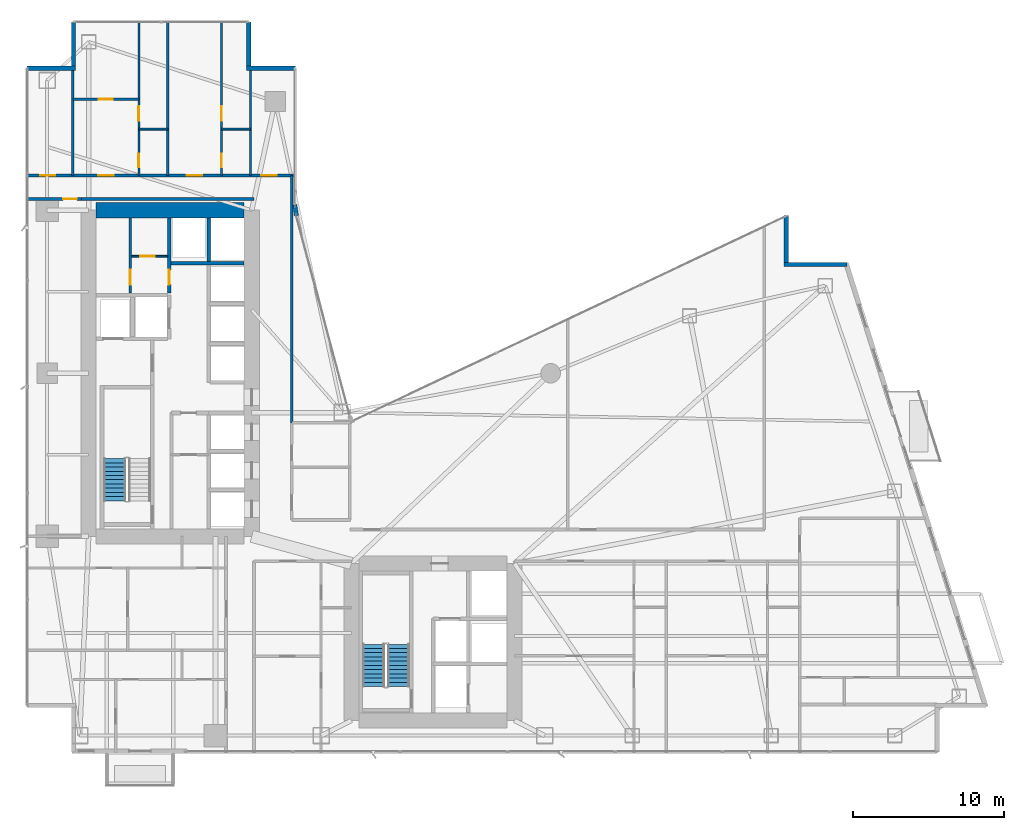
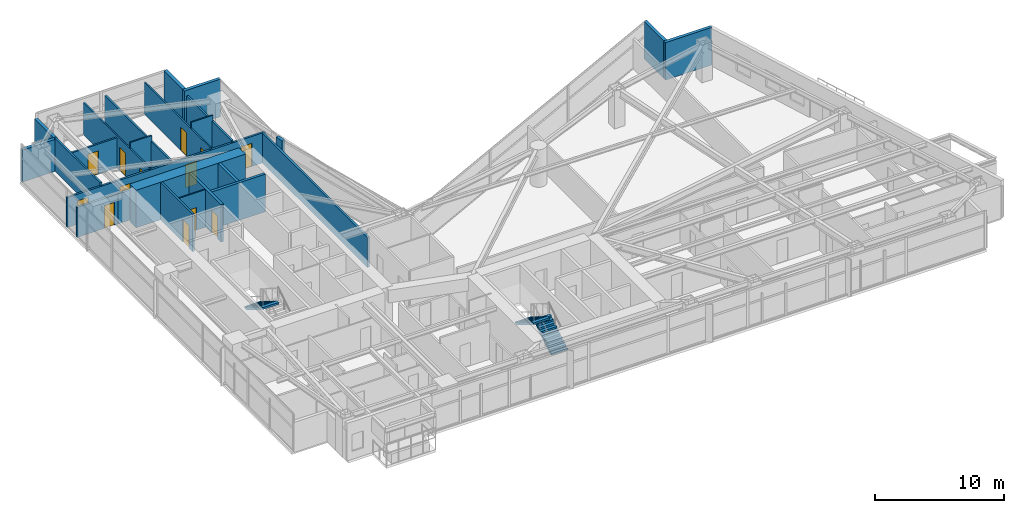
# One storey, part 25 of 29: 25 walls, 13 doors, 3 stair flights, 13 openings, 2 elements without a shape of their own.
"""IFC4 building model written with IfcOpenShell, lengths in metres."""

import ifcopenshell
import ifcopenshell.guid

model = None  # the IFC model being written
_history = None  # IfcOwnerHistory: only IFC2X3 demands one
_inside = {}  # id of a spatial element -> (the spatial element, [elements in it])
_under = {}  # id of a project, library or spatial element -> (it, [spatial elements below it])
_declared = {}  # id of a project -> (the project, [libraries it declares])
_typed = {}  # id of a type object -> (the type object, [elements of that type])
_made_of = {}  # id of a material, layer set ... -> (it, [elements and type objects made of it])


def new_model(schema):
    """Start an empty IFC model of exactly this schema.

    Asked for "IFC4X3", IfcOpenShell would pick the latest addendum, in which some entities
    have other attributes; the version numbers below select the first issue.
    IFC2X3 requires an IfcOwnerHistory on every rooted entity: one is made here for all.
    """
    global model, _history
    if schema == "IFC4X3":
        model = ifcopenshell.file(schema_version=(4, 3, 0, 0))
    else:
        model = ifcopenshell.file(schema=schema)
    _inside.clear()
    _under.clear()
    _declared.clear()
    _typed.clear()
    _made_of.clear()
    _history = None
    if model.schema == "IFC2X3":
        org = make("IfcOrganization", Name="unknown")
        user = make(
            "IfcPersonAndOrganization",
            ThePerson=make("IfcPerson", FamilyName="unknown"),
            TheOrganization=org,
        )
        app = make(
            "IfcApplication",
            ApplicationDeveloper=org,
            Version="unknown",
            ApplicationFullName="unknown",
            ApplicationIdentifier="unknown",
        )
        _history = make(
            "IfcOwnerHistory",
            OwningUser=user,
            OwningApplication=app,
            ChangeAction="ADDED",
            CreationDate=0,
        )
    return model


def make(cls, **values):
    """One entity of the class cls with the attributes given. An attribute that is None is left unset."""
    return model.create_entity(
        cls, **{name: value for name, value in values.items() if value is not None}
    )


def rooted(cls, **values):
    """An entity with a GlobalId (a new one), such as an element, a storey or a relation."""
    return make(cls, GlobalId=ifcopenshell.guid.new(), OwnerHistory=_history, **values)


def si_unit(unit_type, name, prefix=None):
    """IfcSIUnit, for example si_unit("LENGTHUNIT", "METRE", prefix="MILLI")."""
    return make("IfcSIUnit", UnitType=unit_type, Prefix=prefix, Name=name)


def assignment(units):
    """IfcUnitAssignment: the units of a project."""
    return None if units is None else make("IfcUnitAssignment", Units=units)


def point(xyz):
    """IfcCartesianPoint."""
    return None if xyz is None else make("IfcCartesianPoint", Coordinates=xyz)


def direction(xyz):
    """IfcDirection."""
    return None if xyz is None else make("IfcDirection", DirectionRatios=xyz)


def frame(location, z_axis=None, x_axis=None):
    """IfcAxis2Placement3D, a coordinate frame: its origin and axes. An axis left out is left unset."""
    return make(
        "IfcAxis2Placement3D",
        Location=point(location),
        Axis=direction(z_axis),
        RefDirection=direction(x_axis),
    )


def frame_2d(location, x_axis=None):
    """IfcAxis2Placement2D, a coordinate frame in the plane: its origin and x axis."""
    return make(
        "IfcAxis2Placement2D", Location=point(location), RefDirection=direction(x_axis)
    )


def origin():
    """The frame at (0, 0, 0) with its axes left unset."""
    return frame((0.0, 0.0, 0.0))


def place(relative_to, where):
    """IfcLocalPlacement: puts the frame where relative to a parent placement (None: the world)."""
    return make(
        "IfcLocalPlacement", PlacementRelTo=relative_to, RelativePlacement=where
    )


def context(
    kind, dimensions, precision=None, world=None, true_north=None, identifier=None
):
    """IfcGeometricRepresentationContext, for example the 3D "Model" context."""
    return make(
        "IfcGeometricRepresentationContext",
        ContextIdentifier=identifier,
        ContextType=kind,
        CoordinateSpaceDimension=dimensions,
        Precision=precision,
        WorldCoordinateSystem=world,
        TrueNorth=true_north,
    )


def subcontext(parent, identifier, kind, view, scale=None):
    """IfcGeometricRepresentationSubContext, for example "Body" below "Model"."""
    return make(
        "IfcGeometricRepresentationSubContext",
        ContextIdentifier=identifier,
        ContextType=kind,
        ParentContext=parent,
        TargetScale=scale,
        TargetView=view,
    )


def project(units=None, contexts=None):
    """IfcProject with its units and contexts."""
    return rooted(
        "IfcProject",
        Name="project",
        RepresentationContexts=contexts,
        UnitsInContext=assignment(units),
    )


def spatial(cls, under=None, at=None, **own):
    """A site, building, storey or space (cls), placed at a placement, below another one or the project."""
    s = rooted(cls, ObjectPlacement=at, **own)
    if under is not None:
        _under.setdefault(under.id(), (under, []))[1].append(s)
    return s


def polyline(points):
    """IfcPolyline through the points."""
    return make("IfcPolyline", Points=[point(p) for p in points])


def profile(cls, at=None, kind="AREA", **sizes):
    """A parametric profile (cls). Its sizes go by their IFC names, for example OverallWidth=200.0."""
    return make(cls, ProfileType=kind, Position=at, **sizes)


def rectangle(**sizes):
    """IfcRectangleProfileDef."""
    return profile("IfcRectangleProfileDef", **sizes)


def outline(outer, holes=None, kind="AREA"):
    """IfcArbitraryClosedProfileDef: a profile drawn as a closed curve; with holes, ...WithVoids."""
    if holes is None:
        return make("IfcArbitraryClosedProfileDef", ProfileType=kind, OuterCurve=outer)
    return make(
        "IfcArbitraryProfileDefWithVoids",
        ProfileType=kind,
        OuterCurve=outer,
        InnerCurves=holes,
    )


def extrude(swept, where, along, depth):
    """IfcExtrudedAreaSolid: the profile swept, set in the frame where, extruded along a direction by depth."""
    return make(
        "IfcExtrudedAreaSolid",
        SweptArea=swept,
        Position=where,
        ExtrudedDirection=direction(along),
        Depth=depth,
    )


def shape(context_of_items, identifier, shape_type, items):
    """IfcShapeRepresentation: the items that make up one representation, for example the "Body"."""
    return make(
        "IfcShapeRepresentation",
        ContextOfItems=context_of_items,
        RepresentationIdentifier=identifier,
        RepresentationType=shape_type,
        Items=items,
    )


def material(Name=None, Category=None):
    """IfcMaterial."""
    return make("IfcMaterial", Name=Name, Category=Category)


def layer(
    of_material, thickness, ventilated=None, Name=None, Category=None, Priority=None
):
    """IfcMaterialLayer: one layer of a wall or slab, of a material (None: an air gap)."""
    return make(
        "IfcMaterialLayer",
        Material=of_material,
        LayerThickness=thickness,
        IsVentilated=ventilated,
        Name=Name,
        Category=Category,
        Priority=Priority,
    )


def layer_set(layers, Name=None):
    """IfcMaterialLayerSet."""
    return make("IfcMaterialLayerSet", MaterialLayers=layers, LayerSetName=Name)


def made_of(thing, what):
    """Note that an element or type object is made of a material, layer set ...; save() writes the relation."""
    if what is not None:
        _made_of.setdefault(what.id(), (what, []))[1].append(thing)
    return thing


def type_object(cls, material=None, **own):
    """A type object (cls), such as IfcWallType, which elements share."""
    return made_of(rooted(cls, **own), material)


def element(
    cls,
    number,
    at=None,
    inside=None,
    cuts=None,
    type_object=None,
    material=None,
    context=None,
    identifier="Body",
    shape_type=None,
    held_by="IfcProductDefinitionShape",
    body=None,
    shapes=None,
    **own,
):
    """One element of the class cls, such as IfcWall. Its Tag is "e" and its number.

    at: its placement. inside: the storey or other place that contains it. cuts: it is an
    opening in that element (IfcRelVoidsElement). A single representation is given by context,
    identifier, shape_type and body (its items); several are given by shapes. held_by: the class
    of the entity that holds the representations. save() writes the other relations.
    """
    e = rooted(cls, Tag="e%d" % number, ObjectPlacement=at, **own)
    if body is not None:
        shapes = [shape(context, identifier, shape_type, body)]
    if shapes is not None:
        e.Representation = make(held_by, Representations=shapes)
    if inside is not None:
        _inside.setdefault(inside.id(), (inside, []))[1].append(e)
    if cuts is not None:
        rooted(
            "IfcRelVoidsElement", RelatingBuildingElement=cuts, RelatedOpeningElement=e
        )
    if type_object is not None:
        _typed.setdefault(type_object.id(), (type_object, []))[1].append(e)
    return made_of(e, material)


def fill(opening, filler):
    """IfcRelFillsElement: the door or window that sits in an opening."""
    return rooted(
        "IfcRelFillsElement",
        RelatingOpeningElement=opening,
        RelatedBuildingElement=filler,
    )


def aggregate(whole, parts):
    """IfcRelAggregates: a whole, such as a stair, and the parts it consists of."""
    return rooted("IfcRelAggregates", RelatingObject=whole, RelatedObjects=parts)


def save(model, path):
    """Write the relations noted so far, then the file.

    IfcRelAggregates (storeys below a building ...), IfcRelContainedInSpatialStructure (elements
    in a storey), IfcRelDefinesByType, IfcRelAssociatesMaterial and IfcRelDeclares: one each for
    every whole, place, type object, material and project.
    """
    for whole, parts in _under.values():
        aggregate(whole, parts)
    for where, things in _inside.values():
        rooted(
            "IfcRelContainedInSpatialStructure",
            RelatedElements=things,
            RelatingStructure=where,
        )
    for kind, things in _typed.values():
        rooted("IfcRelDefinesByType", RelatedObjects=things, RelatingType=kind)
    for what, things in _made_of.values():
        rooted("IfcRelAssociatesMaterial", RelatedObjects=things, RelatingMaterial=what)
    for by, libraries in _declared.values():
        rooted("IfcRelDeclares", RelatingContext=by, RelatedDefinitions=libraries)
    model.write(path)


model = new_model("IFC4")

# Units and contexts
model_context = context("Model", 3, precision=1e-05, world=origin(), true_north=direction((0.0, 1.0)))
body_context = subcontext(model_context, "Body", "Model", "MODEL_VIEW")
ifc_project = project(units=[si_unit("LENGTHUNIT", "METRE"), si_unit("AREAUNIT", "SQUARE_METRE"), si_unit("VOLUMEUNIT", "CUBIC_METRE"), si_unit("PLANEANGLEUNIT", "RADIAN"), si_unit("MASSUNIT", "GRAM", prefix="KILO")], contexts=[model_context])

# Site, building, storey
site_placement = place(None, origin())
site = spatial("IfcSite", under=ifc_project, at=site_placement, CompositionType="ELEMENT")
building_placement = place(site_placement, origin())
building = spatial("IfcBuilding", under=site, at=building_placement, Name="Calvorn Quay Hotel", CompositionType="ELEMENT")
storey_placement = place(building_placement, frame((0.0, 0.0, 69.800048828125)))
storey = spatial("IfcBuildingStorey", under=building, at=storey_placement, Name="L16", CompositionType="ELEMENT", Elevation=69.800048828125)

# Wall
ifc_material_1 = material(Name="Concrete C60", Category="concrete")
ifc_layer_1 = layer(ifc_material_1, 1.0)
ifc_layer_set_1 = layer_set([ifc_layer_1], Name="WL-CORE-1000")
wall_type_1 = type_object("IfcWallType", Name="WL-CORE-1000", PredefinedType="SHEAR", material=ifc_layer_set_1)
wall_1_placement = place(storey_placement, frame((4.699951171875, 38.39990234375, 0.0), z_axis=(0.0, 0.0, 1.0), x_axis=(1.0, 0.0, 0.0)))
element("IfcWall", 1, at=wall_1_placement, inside=storey, type_object=wall_type_1, Name="West Core Shear Wall N (L16)", PredefinedType="SHEAR", context=body_context, shape_type="SweptSolid", body=[
    extrude(rectangle(XDim=9.800048828125, YDim=1.0, at=frame_2d((4.89990234375, 0.0))), origin(), (0.0, 0.0, 1.0), 3.56005859375),
])

# Wall, opening, door
ifc_material_2 = material(Name="Acoustic Fireboard Steel-Stud Partition", Category="steel")
ifc_layer_2 = layer(ifc_material_2, 0.179931640625)
ifc_layer_set_2 = layer_set([ifc_layer_2], Name="WL-CORR-FIRE-180")
wall_type_2 = type_object("IfcWallType", Name="WL-CORR-FIRE-180", PredefinedType="PARTITIONING", material=ifc_layer_set_2)
wall_2_placement = place(storey_placement, frame((0.080078125, 39.14990234375, 0.0), z_axis=(0.0, 0.0, 1.0), x_axis=(1.0, 0.0, 0.0)))
wall_2 = element("IfcWall", 2, at=wall_2_placement, inside=storey, type_object=wall_type_2, Name="Partition Wall L16-WL-WBAY-N-DOOR", PredefinedType="PARTITIONING", context=body_context, shape_type="SweptSolid", body=[
    extrude(rectangle(XDim=3.64990234375, YDim=0.179931640625, at=frame_2d((1.824951171875, 0.0))), origin(), (0.0, 0.0, 1.0), 2.83984375),
])
opening_1_placement = place(wall_2_placement, frame((2.429931640625, 0.0, 0.0)))
opening_1 = element("IfcOpeningElement", 3, at=opening_1_placement, cuts=wall_2, Name="Opening D-L16-WBN", PredefinedType="OPENING", context=body_context, shape_type="SweptSolid", body=[
    extrude(rectangle(XDim=0.89990234375, YDim=2.14990234375, at=frame_2d((0.449951171875, 1.074951171875))), frame((0.0, 0.099853515625, 0.0), z_axis=(0.0, -1.0, 0.0), x_axis=(1.0, 0.0, 0.0)), (0.0, 0.0, 1.0), 0.199951171875),
])
ifc_material_3 = material(Name="Moisture-Sealed Timber En-Suite Door", Category="wood")
door_type_1 = type_object("IfcDoorType", Name="DR-ENSUITE-900", OperationType="NOTDEFINED", PredefinedType="DOOR", material=ifc_material_3)
door_1_placement = place(opening_1_placement, origin())
door_1 = element("IfcDoor", 4, at=door_1_placement, inside=storey, type_object=door_type_1, Name="West North Bay Door (L16)", OperationType="SINGLE_SWING_LEFT", OverallHeight=2.14990234375, OverallWidth=0.89990234375, PredefinedType="DOOR", context=body_context, shape_type="SweptSolid", body=[
    extrude(rectangle(XDim=0.89990234375, YDim=2.14990234375, at=frame_2d((0.449951171875, 1.074951171875))), frame((0.0, 0.02490234375, 0.0), z_axis=(0.0, -1.0, 0.0), x_axis=(1.0, 0.0, 0.0)), (0.0, 0.0, 1.0), 0.050048828125),
])
fill(opening_1, door_1)

# Wall, openings, doors
wall_3_placement = place(storey_placement, frame((0.080078125, 40.699951171875, 0.0), z_axis=(0.0, 0.0, 1.0), x_axis=(1.0, 0.0, 0.0)))
wall_3 = element("IfcWall", 5, at=wall_3_placement, inside=storey, type_object=wall_type_2, Name="Partition Wall L16-WL-CORR-NW-N", PredefinedType="PARTITIONING", context=body_context, shape_type="SweptSolid", body=[
    extrude(rectangle(XDim=17.77001953125, YDim=0.179931640625, at=frame_2d((8.885009765625, 0.0))), origin(), (0.0, 0.0, 1.0), 2.83984375),
])
opening_2_placement = place(wall_3_placement, frame((0.89990234375, 0.0, 0.0)))
opening_2 = element("IfcOpeningElement", 6, at=opening_2_placement, cuts=wall_3, Name="Opening D-L16-NWW", PredefinedType="OPENING", context=body_context, shape_type="SweptSolid", body=[
    extrude(rectangle(XDim=1.02001953125, YDim=2.199951171875, at=frame_2d((0.510009765625, 1.10009765625))), frame((0.0, 0.099853515625, 0.0), z_axis=(0.0, -1.0, 0.0), x_axis=(1.0, 0.0, 0.0)), (0.0, 0.0, 1.0), 0.199951171875),
])
opening_3_placement = place(wall_3_placement, frame((4.75, 0.0, 0.0)))
opening_3 = element("IfcOpeningElement", 7, at=opening_3_placement, cuts=wall_3, Name="Opening D-L16-U04", PredefinedType="OPENING", context=body_context, shape_type="SweptSolid", body=[
    extrude(rectangle(XDim=1.02001953125, YDim=2.199951171875, at=frame_2d((0.510009765625, 1.10009765625))), frame((0.0, 0.099853515625, 0.0), z_axis=(0.0, -1.0, 0.0), x_axis=(1.0, 0.0, 0.0)), (0.0, 0.0, 1.0), 0.199951171875),
])
opening_4_placement = place(wall_3_placement, frame((10.6298828125, 0.0, 0.0)))
opening_4 = element("IfcOpeningElement", 8, at=opening_4_placement, cuts=wall_3, Name="Opening D-L16-U05", PredefinedType="OPENING", context=body_context, shape_type="SweptSolid", body=[
    extrude(rectangle(XDim=1.02001953125, YDim=2.199951171875, at=frame_2d((0.510009765625, 1.10009765625))), frame((0.0, 0.099853515625, 0.0), z_axis=(0.0, -1.0, 0.0), x_axis=(1.0, 0.0, 0.0)), (0.0, 0.0, 1.0), 0.199951171875),
])
opening_5_placement = place(wall_3_placement, frame((15.550048828125, 0.0, 0.0)))
opening_5 = element("IfcOpeningElement", 9, at=opening_5_placement, cuts=wall_3, Name="Opening D-L16-NWE", PredefinedType="OPENING", context=body_context, shape_type="SweptSolid", body=[
    extrude(rectangle(XDim=1.02001953125, YDim=2.199951171875, at=frame_2d((0.510009765625, 1.10009765625))), frame((0.0, 0.099853515625, 0.0), z_axis=(0.0, -1.0, 0.0), x_axis=(1.0, 0.0, 0.0)), (0.0, 0.0, 1.0), 0.199951171875),
])
ifc_material_4 = material(Name="Solid-Core Walnut Veneer Hotel Fire Door")
door_type_2 = type_object("IfcDoorType", Name="DR-GUEST-ENTRY-1020", OperationType="NOTDEFINED", PredefinedType="DOOR", material=ifc_material_4)
door_2_placement = place(opening_2_placement, origin())
door_2 = element("IfcDoor", 10, at=door_2_placement, inside=storey, type_object=door_type_2, Name="West Corner Study Door (L16)", OperationType="SINGLE_SWING_LEFT", OverallHeight=2.199951171875, OverallWidth=1.02001953125, PredefinedType="DOOR", context=body_context, shape_type="SweptSolid", body=[
    extrude(rectangle(XDim=1.02001953125, YDim=2.199951171875, at=frame_2d((0.510009765625, 1.10009765625))), frame((0.0, 0.02490234375, 0.0), z_axis=(0.0, -1.0, 0.0), x_axis=(1.0, 0.0, 0.0)), (0.0, 0.0, 1.0), 0.050048828125),
])
fill(opening_2, door_2)
door_3_placement = place(opening_3_placement, origin())
door_3 = element("IfcDoor", 11, at=door_3_placement, inside=storey, type_object=door_type_2, Name="North-West Unit Door U04 (L16)", OperationType="SINGLE_SWING_RIGHT", OverallHeight=2.199951171875, OverallWidth=1.02001953125, PredefinedType="DOOR", context=body_context, shape_type="SweptSolid", body=[
    extrude(rectangle(XDim=1.02001953125, YDim=2.199951171875, at=frame_2d((0.510009765625, 1.10009765625))), frame((0.0, 0.02490234375, 0.0), z_axis=(0.0, -1.0, 0.0), x_axis=(1.0, 0.0, 0.0)), (0.0, 0.0, 1.0), 0.050048828125),
])
fill(opening_3, door_3)
door_4_placement = place(opening_4_placement, origin())
door_4 = element("IfcDoor", 12, at=door_4_placement, inside=storey, type_object=door_type_2, Name="North-West Unit Door U05 (L16)", OperationType="SINGLE_SWING_LEFT", OverallHeight=2.199951171875, OverallWidth=1.02001953125, PredefinedType="DOOR", context=body_context, shape_type="SweptSolid", body=[
    extrude(rectangle(XDim=1.02001953125, YDim=2.199951171875, at=frame_2d((0.510009765625, 1.10009765625))), frame((0.0, 0.02490234375, 0.0), z_axis=(0.0, -1.0, 0.0), x_axis=(1.0, 0.0, 0.0)), (0.0, 0.0, 1.0), 0.050048828125),
])
fill(opening_4, door_4)
door_5_placement = place(opening_5_placement, origin())
door_5 = element("IfcDoor", 13, at=door_5_placement, inside=storey, type_object=door_type_2, Name="Inner Court Study Door (L16)", OperationType="SINGLE_SWING_RIGHT", OverallHeight=2.199951171875, OverallWidth=1.02001953125, PredefinedType="DOOR", context=body_context, shape_type="SweptSolid", body=[
    extrude(rectangle(XDim=1.02001953125, YDim=2.199951171875, at=frame_2d((0.510009765625, 1.10009765625))), frame((0.0, 0.02490234375, 0.0), z_axis=(0.0, -1.0, 0.0), x_axis=(1.0, 0.0, 0.0)), (0.0, 0.0, 1.0), 0.050048828125),
])
fill(opening_5, door_5)

# Walls
wall_4_placement = place(storey_placement, frame((17.64990234375, 24.300048828125, 0.0), z_axis=(0.0, 0.0, 1.0), x_axis=(0.0, 1.0, 0.0)))
element("IfcWall", 14, at=wall_4_placement, inside=storey, type_object=wall_type_2, Name="Partition Wall L16-WL-NW-CLOSURE-E", PredefinedType="PARTITIONING", context=body_context, shape_type="SweptSolid", body=[
    extrude(rectangle(XDim=16.39990234375, YDim=0.179931640625, at=frame_2d((8.199951171875, 0.0))), origin(), (0.0, 0.0, 1.0), 2.83984375),
])
wall_5_placement = place(storey_placement, frame((3.679931640625, 39.14990234375, 0.0), z_axis=(0.0, 0.0, 1.0), x_axis=(1.0, 0.0, 0.0)))
element("IfcWall", 15, at=wall_5_placement, inside=storey, type_object=wall_type_2, Name="Partition Wall L16-WL-W-SPUR-S", PredefinedType="PARTITIONING", context=body_context, shape_type="SweptSolid", body=[
    extrude(rectangle(XDim=11.469970703125, YDim=0.179931640625, at=frame_2d((5.73486328125, 0.0))), origin(), (0.0, 0.0, 1.0), 2.83984375),
])

# Wall, opening, door
ifc_material_5 = material(Name="Moisture-Resistant Tile-Backed Partition")
ifc_layer_3 = layer(ifc_material_5, 0.125)
ifc_layer_set_3 = layer_set([ifc_layer_3], Name="WL-ENSUITE-125")
wall_type_3 = type_object("IfcWallType", Name="WL-ENSUITE-125", PredefinedType="PARTITIONING", material=ifc_layer_set_3)
wall_6_placement = place(storey_placement, frame((7.050048828125, 35.35009765625, 0.0), z_axis=(0.0, 0.0, 1.0), x_axis=(1.0, 0.0, 0.0)))
wall_6 = element("IfcWall", 16, at=wall_6_placement, inside=storey, type_object=wall_type_3, Name="Partition Wall L16-WL-CWW-K-H", PredefinedType="PARTITIONING", context=body_context, shape_type="SweptSolid", body=[
    extrude(rectangle(XDim=2.369873046875, YDim=0.125, at=frame_2d((1.18505859375, 0.0))), origin(), (0.0, 0.0, 1.0), 3.56005859375),
])
opening_6_placement = place(wall_6_placement, frame((0.550048828125, 0.0, 0.0)))
opening_6 = element("IfcOpeningElement", 17, at=opening_6_placement, cuts=wall_6, Name="Opening D-L16-CK3", PredefinedType="OPENING", context=body_context, shape_type="SweptSolid", body=[
    extrude(rectangle(XDim=0.97998046875, YDim=2.14990234375, at=frame_2d((0.489990234375, 1.074951171875))), frame((0.0, 0.072509765625, 0.0), z_axis=(0.0, -1.0, 0.0), x_axis=(1.0, 0.0, 0.0)), (0.0, 0.0, 1.0), 0.14501953125),
])
ifc_material_6 = material(Name="Painted Steel Housekeeping/Riser Fire Door", Category="steel")
door_type_3 = type_object("IfcDoorType", Name="DR-SERVICE-980", OperationType="NOTDEFINED", PredefinedType="DOOR", material=ifc_material_6)
door_6_placement = place(opening_6_placement, origin())
door_6 = element("IfcDoor", 18, at=door_6_placement, inside=storey, type_object=door_type_3, Name="Telecom Closet Door (L16)", OperationType="SINGLE_SWING_RIGHT", OverallHeight=2.14990234375, OverallWidth=0.97998046875, PredefinedType="DOOR", context=body_context, shape_type="SweptSolid", body=[
    extrude(rectangle(XDim=0.97998046875, YDim=2.14990234375, at=frame_2d((0.489990234375, 1.074951171875))), frame((0.0, 0.02490234375, 0.0), z_axis=(0.0, -1.0, 0.0), x_axis=(1.0, 0.0, 0.0)), (0.0, 0.0, 1.0), 0.050048828125),
])
fill(opening_6, door_6)

# Wall
wall_7_placement = place(storey_placement, frame((7.52001953125, 43.77001953125, 0.0), z_axis=(0.0, 0.0, 1.0), x_axis=(1.0, 0.0, 0.0)))
element("IfcWall", 19, at=wall_7_placement, inside=storey, type_object=wall_type_3, Name="Partition Wall L16-WL-U04-BDV", PredefinedType="PARTITIONING", context=body_context, shape_type="SweptSolid", body=[
    extrude(rectangle(XDim=1.929931640625, YDim=0.125, at=frame_2d((0.96484375, 0.0))), origin(), (0.0, 0.0, 1.0), 3.56005859375),
])

# Wall, openings, doors
wall_8_placement = place(storey_placement, frame((7.52001953125, 40.699951171875, 0.0), z_axis=(0.0, 0.0, 1.0), x_axis=(0.0, 1.0, 0.0)))
wall_8 = element("IfcWall", 20, at=wall_8_placement, inside=storey, type_object=wall_type_3, Name="Partition Wall L16-WL-U04-BV", PredefinedType="PARTITIONING", context=body_context, shape_type="SweptSolid", body=[
    extrude(rectangle(XDim=10.239990234375, YDim=0.125, at=frame_2d((5.1201171875, 0.0))), origin(), (0.0, 0.0, 1.0), 3.0400390625),
])
opening_7_placement = place(wall_8_placement, frame((0.550048828125, 0.0, 0.0)))
opening_7 = element("IfcOpeningElement", 21, at=opening_7_placement, cuts=wall_8, Name="Opening D-L16-E04", PredefinedType="OPENING", context=body_context, shape_type="SweptSolid", body=[
    extrude(rectangle(XDim=0.89990234375, YDim=2.14990234375, at=frame_2d((0.449951171875, 1.074951171875))), frame((0.0, 0.072509765625, 0.0), z_axis=(0.0, -1.0, 0.0), x_axis=(1.0, 0.0, 0.0)), (0.0, 0.0, 1.0), 0.14501953125),
])
opening_8_placement = place(wall_8_placement, frame((3.6201171875, 0.0, 0.0)))
opening_8 = element("IfcOpeningElement", 22, at=opening_8_placement, cuts=wall_8, Name="Opening D-L16-S04", PredefinedType="OPENING", context=body_context, shape_type="SweptSolid", body=[
    extrude(rectangle(XDim=0.9599609375, YDim=2.199951171875, at=frame_2d((0.47998046875, 1.10009765625))), frame((0.0, 0.072509765625, 0.0), z_axis=(0.0, -1.0, 0.0), x_axis=(1.0, 0.0, 0.0)), (0.0, 0.0, 1.0), 0.14501953125),
])
door_7_placement = place(opening_7_placement, origin())
door_7 = element("IfcDoor", 23, at=door_7_placement, inside=storey, type_object=door_type_1, Name="En-Suite Door 04", OperationType="SINGLE_SWING_LEFT", OverallHeight=2.14990234375, OverallWidth=0.89990234375, PredefinedType="DOOR", context=body_context, shape_type="SweptSolid", body=[
    extrude(rectangle(XDim=0.89990234375, YDim=2.14990234375, at=frame_2d((0.449951171875, 1.074951171875))), frame((0.0, 0.02490234375, 0.0), z_axis=(0.0, -1.0, 0.0), x_axis=(1.0, 0.0, 0.0)), (0.0, 0.0, 1.0), 0.050048828125),
])
fill(opening_7, door_7)
ifc_material_7 = material(Name="Solid Timber Internal Suite Door", Category="wood")
door_type_4 = type_object("IfcDoorType", Name="DR-SUITE-INT-960", OperationType="NOTDEFINED", PredefinedType="DOOR", material=ifc_material_7)
door_8_placement = place(opening_8_placement, origin())
door_8 = element("IfcDoor", 24, at=door_8_placement, inside=storey, type_object=door_type_4, Name="Spa Therapy Room Door 04", OperationType="SINGLE_SWING_RIGHT", OverallHeight=2.199951171875, OverallWidth=0.9599609375, PredefinedType="DOOR", context=body_context, shape_type="SweptSolid", body=[
    extrude(rectangle(XDim=0.9599609375, YDim=2.199951171875, at=frame_2d((0.47998046875, 1.10009765625))), frame((0.0, 0.02490234375, 0.0), z_axis=(0.0, -1.0, 0.0), x_axis=(1.0, 0.0, 0.0)), (0.0, 0.0, 1.0), 0.050048828125),
])
fill(opening_8, door_8)

# Wall
wall_9_placement = place(storey_placement, frame((12.989990234375, 43.77001953125, 0.0), z_axis=(0.0, 0.0, 1.0), x_axis=(1.0, 0.0, 0.0)))
element("IfcWall", 25, at=wall_9_placement, inside=storey, type_object=wall_type_3, Name="Partition Wall L16-WL-U05-BDV", PredefinedType="PARTITIONING", context=body_context, shape_type="SweptSolid", body=[
    extrude(rectangle(XDim=1.929931640625, YDim=0.125, at=frame_2d((0.96484375, 0.0))), origin(), (0.0, 0.0, 1.0), 3.56005859375),
])

# Wall, openings, doors
wall_10_placement = place(storey_placement, frame((12.989990234375, 40.699951171875, 0.0), z_axis=(0.0, 0.0, 1.0), x_axis=(0.0, 1.0, 0.0)))
wall_10 = element("IfcWall", 26, at=wall_10_placement, inside=storey, type_object=wall_type_3, Name="Partition Wall L16-WL-U05-BV", PredefinedType="PARTITIONING", context=body_context, shape_type="SweptSolid", body=[
    extrude(rectangle(XDim=10.239990234375, YDim=0.125, at=frame_2d((5.1201171875, 0.0))), origin(), (0.0, 0.0, 1.0), 3.0400390625),
])
opening_9_placement = place(wall_10_placement, frame((0.550048828125, 0.0, 0.0)))
opening_9 = element("IfcOpeningElement", 27, at=opening_9_placement, cuts=wall_10, Name="Opening D-L16-E05", PredefinedType="OPENING", context=body_context, shape_type="SweptSolid", body=[
    extrude(rectangle(XDim=0.89990234375, YDim=2.14990234375, at=frame_2d((0.449951171875, 1.074951171875))), frame((0.0, 0.072509765625, 0.0), z_axis=(0.0, -1.0, 0.0), x_axis=(1.0, 0.0, 0.0)), (0.0, 0.0, 1.0), 0.14501953125),
])
opening_10_placement = place(wall_10_placement, frame((3.6201171875, 0.0, 0.0)))
opening_10 = element("IfcOpeningElement", 28, at=opening_10_placement, cuts=wall_10, Name="Opening D-L16-S05", PredefinedType="OPENING", context=body_context, shape_type="SweptSolid", body=[
    extrude(rectangle(XDim=0.9599609375, YDim=2.199951171875, at=frame_2d((0.47998046875, 1.10009765625))), frame((0.0, 0.072509765625, 0.0), z_axis=(0.0, -1.0, 0.0), x_axis=(1.0, 0.0, 0.0)), (0.0, 0.0, 1.0), 0.14501953125),
])
door_9_placement = place(opening_9_placement, origin())
door_9 = element("IfcDoor", 29, at=door_9_placement, inside=storey, type_object=door_type_1, Name="En-Suite Door 05", OperationType="SINGLE_SWING_LEFT", OverallHeight=2.14990234375, OverallWidth=0.89990234375, PredefinedType="DOOR", context=body_context, shape_type="SweptSolid", body=[
    extrude(rectangle(XDim=0.89990234375, YDim=2.14990234375, at=frame_2d((0.449951171875, 1.074951171875))), frame((0.0, 0.02490234375, 0.0), z_axis=(0.0, -1.0, 0.0), x_axis=(1.0, 0.0, 0.0)), (0.0, 0.0, 1.0), 0.050048828125),
])
fill(opening_9, door_9)
door_10_placement = place(opening_10_placement, origin())
door_10 = element("IfcDoor", 30, at=door_10_placement, inside=storey, type_object=door_type_4, Name="Spa Therapy Room Door 05", OperationType="SINGLE_SWING_RIGHT", OverallHeight=2.199951171875, OverallWidth=0.9599609375, PredefinedType="DOOR", context=body_context, shape_type="SweptSolid", body=[
    extrude(rectangle(XDim=0.9599609375, YDim=2.199951171875, at=frame_2d((0.47998046875, 1.10009765625))), frame((0.0, 0.02490234375, 0.0), z_axis=(0.0, -1.0, 0.0), x_axis=(1.0, 0.0, 0.0)), (0.0, 0.0, 1.0), 0.050048828125),
])
fill(opening_10, door_10)

# Walls
ifc_material_8 = material(Name="Concrete C40", Category="concrete")
ifc_layer_4 = layer(ifc_material_8, 0.320068359375)
ifc_layer_set_4 = layer_set([ifc_layer_4], Name="WL-EXT-SPANDREL-320")
wall_type_4 = type_object("IfcWallType", Name="WL-EXT-SPANDREL-320", PredefinedType="SOLIDWALL", material=ifc_layer_set_4)
wall_11_placement = place(storey_placement, frame((17.9619140625, 38.030029296875, 0.0), z_axis=(0.0, 0.0, 1.0), x_axis=(-0.15141125477, 0.988470855377, 0.0)))
element("IfcWall", 31, at=wall_11_placement, inside=storey, type_object=wall_type_4, Name="Inner Court Corner Pier L16-ICJ2", PredefinedType="SOLIDWALL", context=body_context, shape_type="SweptSolid", body=[
    extrude(rectangle(XDim=0.738525390625, YDim=0.280029296875, at=frame_2d((0.369140625, 0.0))), origin(), (0.0, 0.0, 1.0), 3.56005859375),
])
wall_12_placement = place(storey_placement, frame((54.43994140625, 34.800048828125, 0.0), z_axis=(0.0, 0.0, 1.0), x_axis=(-1.0, 0.0, 0.0)))
element("IfcWall", 32, at=wall_12_placement, inside=storey, type_object=wall_type_4, Name="Notched Corner Spandrel L16-NE1", PredefinedType="SOLIDWALL", context=body_context, shape_type="SweptSolid", body=[
    extrude(rectangle(XDim=4.179931640625, YDim=0.280029296875, at=frame_2d((2.08984375, 0.0))), origin(), (0.0, 0.0, 1.0), 3.56005859375),
])
wall_13_placement = place(storey_placement, frame((50.39990234375, 34.93994140625, 0.0), z_axis=(0.0, 0.0, 1.0), x_axis=(0.0, 1.0, 0.0)))
element("IfcWall", 33, at=wall_13_placement, inside=storey, type_object=wall_type_4, Name="Notched Corner Spandrel L16-NE2", PredefinedType="SOLIDWALL", context=body_context, shape_type="SweptSolid", body=[
    extrude(rectangle(XDim=3.10009765625, YDim=0.280029296875, at=frame_2d((1.550048828125, 0.0))), origin(), (0.0, 0.0, 1.0), 3.56005859375),
])
wall_14_placement = place(storey_placement, frame((17.89990234375, 47.800048828125, 0.0), z_axis=(0.0, 0.0, 1.0), x_axis=(-1.0, 0.0, 0.0)))
element("IfcWall", 34, at=wall_14_placement, inside=storey, type_object=wall_type_4, Name="Notched Corner Spandrel L16-NWE1", PredefinedType="SOLIDWALL", context=body_context, shape_type="SweptSolid", body=[
    extrude(rectangle(XDim=3.239990234375, YDim=0.280029296875, at=frame_2d((1.6201171875, 0.0))), origin(), (0.0, 0.0, 1.0), 3.56005859375),
])
wall_15_placement = place(storey_placement, frame((14.800048828125, 47.93994140625, 0.0), z_axis=(0.0, 0.0, 1.0), x_axis=(0.0, 1.0, 0.0)))
element("IfcWall", 35, at=wall_15_placement, inside=storey, type_object=wall_type_4, Name="Notched Corner Spandrel L16-NWE2", PredefinedType="SOLIDWALL", context=body_context, shape_type="SweptSolid", body=[
    extrude(rectangle(XDim=2.93994140625, YDim=0.280029296875, at=frame_2d((1.469970703125, 0.0))), origin(), (0.0, 0.0, 1.0), 3.56005859375),
])
wall_16_placement = place(storey_placement, frame((3.199951171875, 50.8798828125, 0.0), z_axis=(0.0, 0.0, 1.0), x_axis=(0.0, -1.0, 0.0)))
element("IfcWall", 36, at=wall_16_placement, inside=storey, type_object=wall_type_4, Name="Notched Corner Spandrel L16-NW1", PredefinedType="SOLIDWALL", context=body_context, shape_type="SweptSolid", body=[
    extrude(rectangle(XDim=2.93994140625, YDim=0.280029296875, at=frame_2d((1.469970703125, 0.0))), origin(), (0.0, 0.0, 1.0), 3.0400390625),
])
wall_17_placement = place(storey_placement, frame((3.340087890625, 47.800048828125, 0.0), z_axis=(0.0, 0.0, 1.0), x_axis=(-1.0, 0.0, 0.0)))
element("IfcWall", 37, at=wall_17_placement, inside=storey, type_object=wall_type_4, Name="Notched Corner Spandrel L16-NW2", PredefinedType="SOLIDWALL", context=body_context, shape_type="SweptSolid", body=[
    extrude(rectangle(XDim=3.219970703125, YDim=0.280029296875, at=frame_2d((1.60986328125, 0.0))), origin(), (0.0, 0.0, 1.0), 3.0400390625),
])

# Wall, opening, door
ifc_material_9 = material(Name="Double-Stud Acoustic Gypsum Partition")
ifc_layer_5 = layer(ifc_material_9, 0.159912109375)
ifc_layer_set_5 = layer_set([ifc_layer_5], Name="WL-INTERSUITE-160")
wall_type_5 = type_object("IfcWallType", Name="WL-INTERSUITE-160", PredefinedType="PARTITIONING", material=ifc_layer_set_5)
wall_18_placement = place(storey_placement, frame((6.949951171875, 32.919921875, 0.0), z_axis=(0.0, 0.0, 1.0), x_axis=(0.0, 1.0, 0.0)))
wall_18 = element("IfcWall", 38, at=wall_18_placement, inside=storey, type_object=wall_type_5, Name="Partition Wall L16-WL-CWW-K-V", PredefinedType="PARTITIONING", context=body_context, shape_type="SweptSolid", body=[
    extrude(rectangle(XDim=4.9599609375, YDim=0.159912109375, at=frame_2d((2.47998046875, 0.0))), origin(), (0.0, 0.0, 1.0), 3.56005859375),
])
opening_11_placement = place(wall_18_placement, frame((0.550048828125, 0.0, 0.0)))
opening_11 = element("IfcOpeningElement", 39, at=opening_11_placement, cuts=wall_18, Name="Opening D-L16-CK1", PredefinedType="OPENING", context=body_context, shape_type="SweptSolid", body=[
    extrude(rectangle(XDim=0.97998046875, YDim=2.14990234375, at=frame_2d((0.489990234375, 1.074951171875))), frame((0.0, 0.08984375, 0.0), z_axis=(0.0, -1.0, 0.0), x_axis=(1.0, 0.0, 0.0)), (0.0, 0.0, 1.0), 0.179931640625),
])
door_11_placement = place(opening_11_placement, origin())
door_11 = element("IfcDoor", 40, at=door_11_placement, inside=storey, type_object=door_type_3, Name="Pipe Riser Door (L16)", OperationType="SINGLE_SWING_LEFT", OverallHeight=2.14990234375, OverallWidth=0.97998046875, PredefinedType="DOOR", context=body_context, shape_type="SweptSolid", body=[
    extrude(rectangle(XDim=0.97998046875, YDim=2.14990234375, at=frame_2d((0.489990234375, 1.074951171875))), frame((0.0, 0.02490234375, 0.0), z_axis=(0.0, -1.0, 0.0), x_axis=(1.0, 0.0, 0.0)), (0.0, 0.0, 1.0), 0.050048828125),
])
fill(opening_11, door_11)

# Walls
wall_19_placement = place(storey_placement, frame((3.14990234375, 40.699951171875, 0.0), z_axis=(0.0, 0.0, 1.0), x_axis=(0.0, 1.0, 0.0)))
element("IfcWall", 41, at=wall_19_placement, inside=storey, type_object=wall_type_5, Name="Partition Wall L16-WL-NW-DIV-W0", PredefinedType="PARTITIONING", context=body_context, shape_type="SweptSolid", body=[
    extrude(rectangle(XDim=7.10009765625, YDim=0.159912109375, at=frame_2d((3.550048828125, 0.0))), origin(), (0.0, 0.0, 1.0), 3.139892578125),
])
wall_20_placement = place(storey_placement, frame((14.919921875, 40.699951171875, 0.0), z_axis=(0.0, 0.0, 1.0), x_axis=(0.0, 1.0, 0.0)))
element("IfcWall", 42, at=wall_20_placement, inside=storey, type_object=wall_type_5, Name="Partition Wall L16-WL-NW-DIV-E0", PredefinedType="PARTITIONING", context=body_context, shape_type="SweptSolid", body=[
    extrude(rectangle(XDim=7.10009765625, YDim=0.159912109375, at=frame_2d((3.550048828125, 0.0))), origin(), (0.0, 0.0, 1.0), 3.0400390625),
])

# Wall, opening, door
wall_21_placement = place(storey_placement, frame((3.14990234375, 45.75, 0.0), z_axis=(0.0, 0.0, 1.0), x_axis=(1.0, 0.0, 0.0)))
wall_21 = element("IfcWall", 43, at=wall_21_placement, inside=storey, type_object=wall_type_5, Name="Partition Wall L16-WL-U04-MSP", PredefinedType="PARTITIONING", context=body_context, shape_type="SweptSolid", body=[
    extrude(rectangle(XDim=4.3701171875, YDim=0.159912109375, at=frame_2d((2.18505859375, 0.0))), origin(), (0.0, 0.0, 1.0), 2.83984375),
])
opening_12_placement = place(wall_21_placement, frame((1.699951171875, 0.0, 0.0)))
opening_12 = element("IfcOpeningElement", 44, at=opening_12_placement, cuts=wall_21, Name="Opening D-L16-M04", PredefinedType="OPENING", context=body_context, shape_type="SweptSolid", body=[
    extrude(rectangle(XDim=0.9599609375, YDim=2.199951171875, at=frame_2d((0.47998046875, 1.10009765625))), frame((0.0, 0.08984375, 0.0), z_axis=(0.0, -1.0, 0.0), x_axis=(1.0, 0.0, 0.0)), (0.0, 0.0, 1.0), 0.179931640625),
])
door_12_placement = place(opening_12_placement, origin())
door_12 = element("IfcDoor", 45, at=door_12_placement, inside=storey, type_object=door_type_4, Name="Suite Bedroom Door 04", OperationType="SINGLE_SWING_LEFT", OverallHeight=2.199951171875, OverallWidth=0.9599609375, PredefinedType="DOOR", context=body_context, shape_type="SweptSolid", body=[
    extrude(rectangle(XDim=0.9599609375, YDim=2.199951171875, at=frame_2d((0.47998046875, 1.10009765625))), frame((0.0, 0.02490234375, 0.0), z_axis=(0.0, -1.0, 0.0), x_axis=(1.0, 0.0, 0.0)), (0.0, 0.0, 1.0), 0.050048828125),
])
fill(opening_12, door_12)

# Wall
wall_22_placement = place(storey_placement, frame((9.449951171875, 40.699951171875, 0.0), z_axis=(0.0, 0.0, 1.0), x_axis=(0.0, 1.0, 0.0)))
element("IfcWall", 46, at=wall_22_placement, inside=storey, type_object=wall_type_5, Name="Partition Wall L16-WL-NW-DIV-1", PredefinedType="PARTITIONING", context=body_context, shape_type="SweptSolid", body=[
    extrude(rectangle(XDim=10.239990234375, YDim=0.159912109375, at=frame_2d((5.1201171875, 0.0))), origin(), (0.0, 0.0, 1.0), 3.0400390625),
])

# Wall, opening, door
ifc_material_10 = material(Name="Autoclaved Aerated Masonry Block", Category="masonry")
ifc_layer_6 = layer(ifc_material_10, 0.219970703125)
ifc_layer_set_6 = layer_set([ifc_layer_6], Name="WL-LOBBY-FIRE-220")
wall_type_6 = type_object("IfcWallType", Name="WL-LOBBY-FIRE-220", PredefinedType="SOLIDWALL", material=ifc_layer_set_6)
wall_23_placement = place(storey_placement, frame((9.5400390625, 32.919921875, 0.0), z_axis=(0.0, 0.0, 1.0), x_axis=(0.0, 1.0, 0.0)))
wall_23 = element("IfcWall", 47, at=wall_23_placement, inside=storey, type_object=wall_type_6, Name="Partition Wall L16-WL-CWW-K-E", PredefinedType="SOLIDWALL", context=body_context, shape_type="SweptSolid", body=[
    extrude(rectangle(XDim=4.9599609375, YDim=0.219970703125, at=frame_2d((2.47998046875, 0.0))), origin(), (0.0, 0.0, 1.0), 3.56005859375),
])
opening_13_placement = place(wall_23_placement, frame((0.550048828125, 0.0, 0.0)))
opening_13 = element("IfcOpeningElement", 48, at=opening_13_placement, cuts=wall_23, Name="Opening D-L16-CK2", PredefinedType="OPENING", context=body_context, shape_type="SweptSolid", body=[
    extrude(rectangle(XDim=0.97998046875, YDim=2.14990234375, at=frame_2d((0.489990234375, 1.074951171875))), frame((0.0, 0.119873046875, 0.0), z_axis=(0.0, -1.0, 0.0), x_axis=(1.0, 0.0, 0.0)), (0.0, 0.0, 1.0), 0.239990234375),
])
door_13_placement = place(opening_13_placement, origin())
door_13 = element("IfcDoor", 49, at=door_13_placement, inside=storey, type_object=door_type_3, Name="Valet Closet Door (L16)", OperationType="SINGLE_SWING_LEFT", OverallHeight=2.14990234375, OverallWidth=0.97998046875, PredefinedType="DOOR", context=body_context, shape_type="SweptSolid", body=[
    extrude(rectangle(XDim=0.97998046875, YDim=2.14990234375, at=frame_2d((0.489990234375, 1.074951171875))), frame((0.0, 0.02490234375, 0.0), z_axis=(0.0, -1.0, 0.0), x_axis=(1.0, 0.0, 0.0)), (0.0, 0.0, 1.0), 0.050048828125),
])
fill(opening_13, door_13)

# Walls
ifc_material_11 = material(Name="Concrete C40", Category="concrete")
ifc_layer_7 = layer(ifc_material_11, 0.239990234375)
ifc_layer_set_7 = layer_set([ifc_layer_7], Name="WL-SHAFT-240")
wall_type_7 = type_object("IfcWallType", Name="WL-SHAFT-240", PredefinedType="SOLIDWALL", material=ifc_layer_set_7)
wall_24_placement = place(storey_placement, frame((9.659912109375, 34.89990234375, 0.0), z_axis=(0.0, 0.0, 1.0), x_axis=(1.0, 0.0, 0.0)))
element("IfcWall", 50, at=wall_24_placement, inside=storey, type_object=wall_type_7, Name="Partition Wall L16-WL-CWW-PLH-S", PredefinedType="SOLIDWALL", context=body_context, shape_type="SweptSolid", body=[
    extrude(rectangle(XDim=4.820068359375, YDim=0.239990234375, at=frame_2d((2.41015625, 0.0))), origin(), (0.0, 0.0, 1.0), 3.56005859375),
])
wall_25_placement = place(storey_placement, frame((12.14990234375, 35.02001953125, 0.0), z_axis=(0.0, 0.0, 1.0), x_axis=(0.0, 1.0, 0.0)))
element("IfcWall", 51, at=wall_25_placement, inside=storey, type_object=wall_type_7, Name="Partition Wall L16-WL-CWW-PLH-DIV", PredefinedType="SOLIDWALL", context=body_context, shape_type="SweptSolid", body=[
    extrude(rectangle(XDim=2.85986328125, YDim=0.239990234375, at=frame_2d((1.429931640625, 0.0))), origin(), (0.0, 0.0, 1.0), 3.56005859375),
])

# Stair, stair flight
ifc_material_12 = material(Name="Concrete C40", Category="concrete")
stair_type = type_object("IfcStairType", Name="STR-CORE-DOGLEG", PredefinedType="HALF_TURN_STAIR", material=ifc_material_12)
stair_1_placement = place(storey_placement, origin())
stair_1 = element("IfcStair", 52, at=stair_1_placement, inside=storey, type_object=stair_type, Name="L16 ST-W", PredefinedType="HALF_TURN_STAIR")
ifc_material_13 = material(Name="Concrete C40", Category="concrete")
stair_flight_type = type_object("IfcStairFlightType", Name="FLT-CORE-1550", PredefinedType="STRAIGHT", material=ifc_material_13)
stair_flight_1_placement = place(storey_placement, frame((5.925048828125, 21.949951171875, 1.89990234375), z_axis=(0.0, 0.0, 1.0), x_axis=(0.0, -1.0, 0.0)))
stair_flight_1 = element("IfcStairFlight", 53, at=stair_flight_1_placement, type_object=stair_flight_type, Name="ST-W flight 2", NumberOfRisers=11, NumberOfTreads=10, PredefinedType="STRAIGHT", RiserHeight=0.172727273, TreadLength=0.28, context=body_context, shape_type="SweptSolid", body=[
    extrude(outline(polyline([(0.0, 0.0), (0.0, 0.172607421875), (0.280029296875, 0.172607421875), (0.280029296875, 0.345458984375), (0.56005859375, 0.345458984375), (0.56005859375, 0.51806640625), (0.840087890625, 0.51806640625), (0.840087890625, 0.69091796875), (1.1201171875, 0.69091796875), (1.1201171875, 0.863525390625), (1.39990234375, 0.863525390625), (1.39990234375, 1.036376953125), (1.679931640625, 1.036376953125), (1.679931640625, 1.208984375), (1.9599609375, 1.208984375), (1.9599609375, 1.3818359375), (2.239990234375, 1.3818359375), (2.239990234375, 1.554443359375), (2.52001953125, 1.554443359375), (2.52001953125, 1.727294921875), (2.800048828125, 1.727294921875), (2.800048828125, 1.89990234375), (2.800048828125, 1.551025390625), (0.285400390625, 0.0), (0.0, 0.0)])), frame((0.0, 0.72509765625, 0.0), z_axis=(0.0, -1.0, 0.0), x_axis=(1.0, 0.0, 0.0)), (0.0, 0.0, 1.0), 1.449951171875),
])
aggregate(stair_1, [stair_flight_1])

# Stair, stair flights
stair_2_placement = place(storey_placement, origin())
stair_2 = element("IfcStair", 54, at=stair_2_placement, inside=storey, type_object=stair_type, Name="L16 ST-E", PredefinedType="HALF_TURN_STAIR")
stair_flight_2_placement = place(storey_placement, frame((24.72509765625, 6.85009765625, 0.0), z_axis=(0.0, 0.0, 1.0), x_axis=(0.0, 1.0, 0.0)))
stair_flight_2 = element("IfcStairFlight", 55, at=stair_flight_2_placement, type_object=stair_flight_type, Name="ST-E flight 1", NumberOfRisers=11, NumberOfTreads=10, PredefinedType="STRAIGHT", RiserHeight=0.172727273, TreadLength=0.28, context=body_context, shape_type="SweptSolid", body=[
    extrude(outline(polyline([(0.0, 0.0), (0.0, 0.172607421875), (0.280029296875, 0.172607421875), (0.280029296875, 0.345458984375), (0.56005859375, 0.345458984375), (0.56005859375, 0.51806640625), (0.840087890625, 0.51806640625), (0.840087890625, 0.69091796875), (1.1201171875, 0.69091796875), (1.1201171875, 0.863525390625), (1.39990234375, 0.863525390625), (1.39990234375, 1.036376953125), (1.679931640625, 1.036376953125), (1.679931640625, 1.208984375), (1.9599609375, 1.208984375), (1.9599609375, 1.3818359375), (2.239990234375, 1.3818359375), (2.239990234375, 1.554443359375), (2.52001953125, 1.554443359375), (2.52001953125, 1.727294921875), (2.800048828125, 1.727294921875), (2.800048828125, 1.89990234375), (2.800048828125, 1.551025390625), (0.285400390625, 0.0), (0.0, 0.0)])), frame((0.0, 0.72509765625, 0.0), z_axis=(0.0, -1.0, 0.0), x_axis=(1.0, 0.0, 0.0)), (0.0, 0.0, 1.0), 1.449951171875),
])
stair_flight_3_placement = place(storey_placement, frame((23.074951171875, 9.64990234375, 1.89990234375), z_axis=(0.0, 0.0, 1.0), x_axis=(0.0, -1.0, 0.0)))
stair_flight_3 = element("IfcStairFlight", 56, at=stair_flight_3_placement, type_object=stair_flight_type, Name="ST-E flight 2", NumberOfRisers=11, NumberOfTreads=10, PredefinedType="STRAIGHT", RiserHeight=0.172727273, TreadLength=0.28, context=body_context, shape_type="SweptSolid", body=[
    extrude(outline(polyline([(0.0, 0.0), (0.0, 0.172607421875), (0.280029296875, 0.172607421875), (0.280029296875, 0.345458984375), (0.56005859375, 0.345458984375), (0.56005859375, 0.51806640625), (0.840087890625, 0.51806640625), (0.840087890625, 0.69091796875), (1.1201171875, 0.69091796875), (1.1201171875, 0.863525390625), (1.39990234375, 0.863525390625), (1.39990234375, 1.036376953125), (1.679931640625, 1.036376953125), (1.679931640625, 1.208984375), (1.9599609375, 1.208984375), (1.9599609375, 1.3818359375), (2.239990234375, 1.3818359375), (2.239990234375, 1.554443359375), (2.52001953125, 1.554443359375), (2.52001953125, 1.727294921875), (2.800048828125, 1.727294921875), (2.800048828125, 1.89990234375), (2.800048828125, 1.551025390625), (0.285400390625, 0.0), (0.0, 0.0)])), frame((0.0, 0.72509765625, 0.0), z_axis=(0.0, -1.0, 0.0), x_axis=(1.0, 0.0, 0.0)), (0.0, 0.0, 1.0), 1.449951171875),
])
aggregate(stair_2, [stair_flight_2, stair_flight_3])

save(model, "model.ifc")
